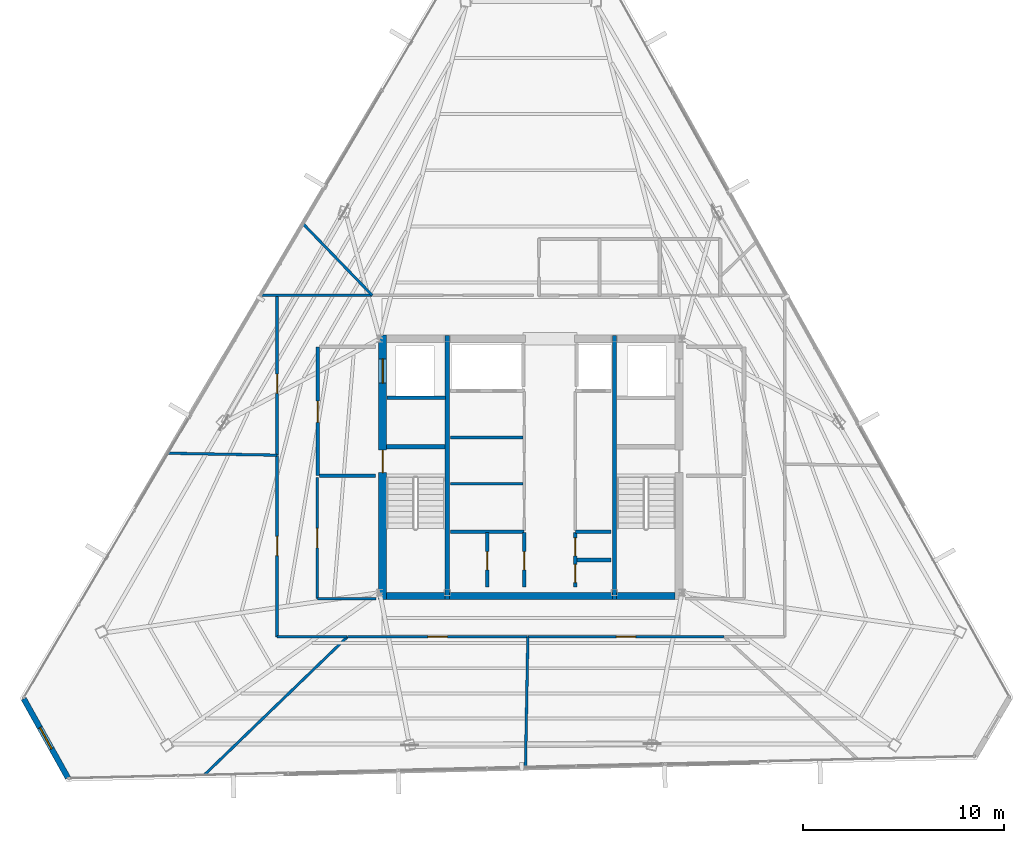
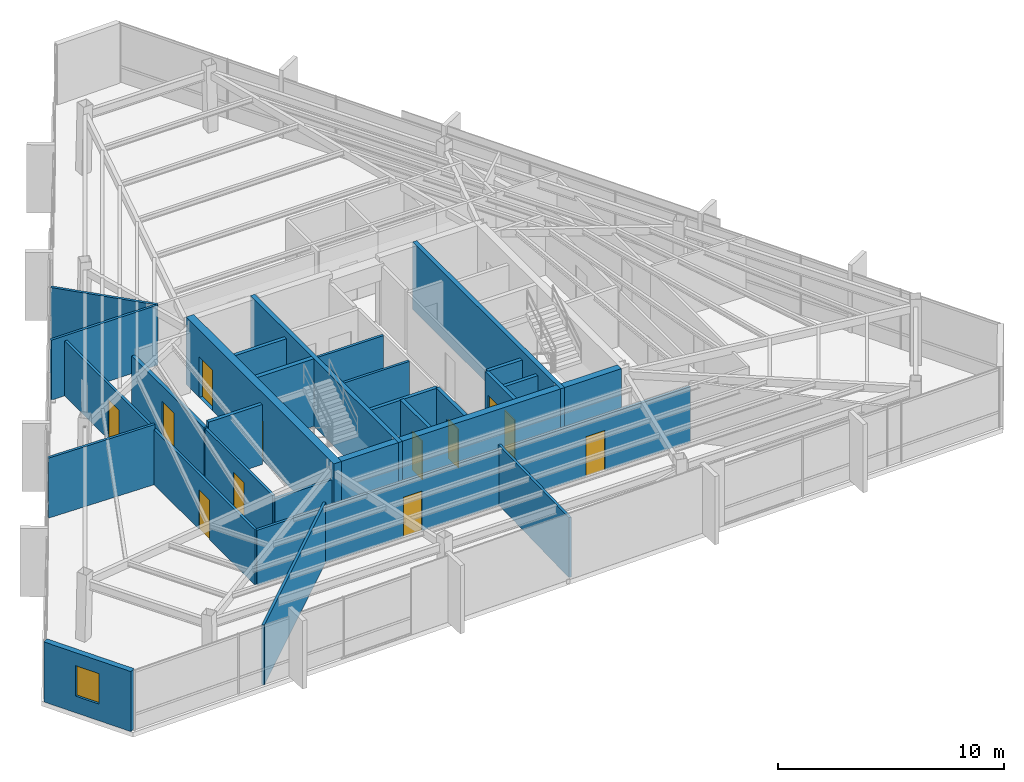
# One storey, part 40 of 44: 31 walls, 12 doors, 1 window, 13 openings.
"""IFC4 building model written with IfcOpenShell, lengths in metres."""

from ifc_helpers import new_model, si_unit, direction, frame, frame_2d, origin, place, context, subcontext, project, spatial, rectangle, extrude, material, layer, layer_set, type_object, element, fill, save


model = new_model("IFC4")

# Units and contexts
model_context = context("Model", 3, precision=1e-05, world=origin(), true_north=direction((0.0, 1.0)))
body_context = subcontext(model_context, "Body", "Model", "MODEL_VIEW")
ifc_project = project(units=[si_unit("LENGTHUNIT", "METRE"), si_unit("AREAUNIT", "SQUARE_METRE"), si_unit("VOLUMEUNIT", "CUBIC_METRE"), si_unit("PLANEANGLEUNIT", "RADIAN"), si_unit("MASSUNIT", "GRAM", prefix="KILO")], contexts=[model_context])

# Site, building, storey
site_placement = place(None, origin())
site = spatial("IfcSite", under=ifc_project, at=site_placement, CompositionType="ELEMENT")
building_placement = place(site_placement, origin())
building = spatial("IfcBuilding", under=site, at=building_placement, Name="Caelisora Broadcast Tower", CompositionType="ELEMENT")
storey_placement = place(building_placement, frame((0.0, 0.0, 280.949951171875)))
storey = spatial("IfcBuildingStorey", under=building, at=storey_placement, Name="L74", CompositionType="ELEMENT", Elevation=280.949951171875)

# Wall, openings, doors
ifc_material_1 = material(Name="Concrete 40 MPa (AS 3600 N40)", Category="concrete")
ifc_layer_1 = layer(ifc_material_1, 0.39990234375, Name="Concrete 40 MPa (AS 3600 N40)")
ifc_layer_set_1 = layer_set([ifc_layer_1], Name="Concrete 40 MPa (AS 3600 N40)")
wall_type_1 = type_object("IfcWallType", Name="CW3", PredefinedType="SHEAR", material=ifc_layer_set_1)
wall_1_placement = place(storey_placement, frame((30.639892578125, 17.050048828125, 0.0), z_axis=(0.0, 0.0, 1.0), x_axis=(0.0, 1.0, 0.0)))
wall_1 = element("IfcWall", 1, at=wall_1_placement, inside=storey, type_object=wall_type_1, Name="L74 core shear wall CW3", PredefinedType="SHEAR", context=body_context, shape_type="SweptSolid", body=[
    extrude(rectangle(XDim=13.125, YDim=0.39990234375, at=frame_2d((6.5625, 0.0))), origin(), (0.0, 0.0, 1.0), 3.650146484375),
])
opening_1_placement = place(wall_1_placement, frame((6.300048828125, 0.0, 0.0)))
opening_1 = element("IfcOpeningElement", 2, at=opening_1_placement, cuts=wall_1, Name="Opening FD04", PredefinedType="OPENING", context=body_context, shape_type="SweptSolid", body=[
    extrude(rectangle(XDim=1.1201171875, YDim=2.14990234375, at=frame_2d((0.56005859375, 1.074951171875))), frame((0.0, 0.2119140625, 0.0), z_axis=(0.0, -1.0, 0.0), x_axis=(1.0, 0.0, 0.0)), (0.0, 0.0, 1.0), 0.423828125),
])
opening_2_placement = place(wall_1_placement, frame((10.75, 0.0, 0.0)))
opening_2 = element("IfcOpeningElement", 3, at=opening_2_placement, cuts=wall_1, Name="Opening LD04", PredefinedType="OPENING", context=body_context, shape_type="SweptSolid", body=[
    extrude(rectangle(XDim=1.199951171875, YDim=2.199951171875, at=frame_2d((0.60009765625, 1.10009765625))), frame((0.0, 0.2119140625, 0.0), z_axis=(0.0, -1.0, 0.0), x_axis=(1.0, 0.0, 0.0)), (0.0, 0.0, 1.0), 0.423828125),
])
ifc_material_2 = material(Name="Pressurised Fire-Isolated Stair Door", Category="steel")
door_type_1 = type_object("IfcDoorType", Name="FD04", OperationType="NOTDEFINED", PredefinedType="DOOR", material=ifc_material_2)
door_1_placement = place(opening_1_placement, origin())
door_1 = element("IfcDoor", 4, at=door_1_placement, inside=storey, type_object=door_type_1, Name="L74 door FD04 (L74-DR-ST1)", OperationType="SINGLE_SWING_LEFT", OverallHeight=2.14990234375, OverallWidth=1.1201171875, PredefinedType="DOOR", context=body_context, shape_type="SweptSolid", body=[
    extrude(rectangle(XDim=1.1201171875, YDim=2.14990234375, at=frame_2d((0.56005859375, 1.074951171875))), frame((0.0, 0.02490234375, 0.0), z_axis=(0.0, -1.0, 0.0), x_axis=(1.0, 0.0, 0.0)), (0.0, 0.0, 1.0), 0.050048828125),
])
fill(opening_1, door_1)
ifc_material_3 = material(Name="Emergency Firefighting Lift Sliding Landing Door", Category="steel")
door_type_2 = type_object("IfcDoorType", Name="LD04", OperationType="NOTDEFINED", PredefinedType="DOOR", material=ifc_material_3)
door_2_placement = place(opening_2_placement, origin())
door_2 = element("IfcDoor", 5, at=door_2_placement, inside=storey, type_object=door_type_2, Name="L74 door LD04 (L74-LD-FFL1)", OperationType="SLIDING_TO_LEFT", OverallHeight=2.199951171875, OverallWidth=1.199951171875, PredefinedType="DOOR", context=body_context, shape_type="SweptSolid", body=[
    extrude(rectangle(XDim=1.199951171875, YDim=2.199951171875, at=frame_2d((0.60009765625, 1.10009765625))), frame((0.0, 0.02490234375, 0.0), z_axis=(0.0, -1.0, 0.0), x_axis=(1.0, 0.0, 0.0)), (0.0, 0.0, 1.0), 0.050048828125),
])
fill(opening_2, door_2)

# Walls
ifc_layer_2 = layer(ifc_material_1, 0.35009765625, Name="Concrete 40 MPa (AS 3600 N40)")
ifc_layer_set_2 = layer_set([ifc_layer_2], Name="Concrete 40 MPa (AS 3600 N40)")
wall_type_2 = type_object("IfcWallType", Name="CW6", PredefinedType="SHEAR", material=ifc_layer_set_2)
wall_2_placement = place(storey_placement, frame((30.840087890625, 17.22509765625, 0.0), z_axis=(0.0, 0.0, 1.0), x_axis=(1.0, 0.0, 0.0)))
element("IfcWall", 6, at=wall_2_placement, inside=storey, type_object=wall_type_2, Name="L74 core shear wall CW6", PredefinedType="SHEAR", context=body_context, shape_type="SweptSolid", body=[
    extrude(rectangle(XDim=2.89990234375, YDim=0.35009765625, at=frame_2d((1.449951171875, 0.0))), origin(), (0.0, 0.0, 1.0), 3.650146484375),
])
wall_3_placement = place(storey_placement, frame((33.9599609375, 17.22509765625, 0.0), z_axis=(0.0, 0.0, 1.0), x_axis=(1.0, 0.0, 0.0)))
element("IfcWall", 7, at=wall_3_placement, inside=storey, type_object=wall_type_2, Name="L74 core shear wall CW6", PredefinedType="SHEAR", context=body_context, shape_type="SweptSolid", body=[
    extrude(rectangle(XDim=8.080078125, YDim=0.35009765625, at=frame_2d((4.0400390625, 0.0))), origin(), (0.0, 0.0, 1.0), 3.650146484375),
])
wall_4_placement = place(storey_placement, frame((42.260009765625, 17.22509765625, 0.0), z_axis=(0.0, 0.0, 1.0), x_axis=(1.0, 0.0, 0.0)))
element("IfcWall", 8, at=wall_4_placement, inside=storey, type_object=wall_type_2, Name="L74 core shear wall CW6", PredefinedType="SHEAR", context=body_context, shape_type="SweptSolid", body=[
    extrude(rectangle(XDim=2.89990234375, YDim=0.35009765625, at=frame_2d((1.449951171875, 0.0))), origin(), (0.0, 0.0, 1.0), 3.650146484375),
])
ifc_material_4 = material(Name="Concrete 50 MPa (AS 3600 S50)", Category="concrete")
ifc_layer_3 = layer(ifc_material_4, 0.219970703125, Name="Concrete 50 MPa (AS 3600 S50)")
ifc_layer_set_3 = layer_set([ifc_layer_3], Name="Concrete 50 MPa (AS 3600 S50)")
wall_type_3 = type_object("IfcWallType", Name="CW7", PredefinedType="SHEAR", material=ifc_layer_set_3)
for number, where, z_axis, x_axis, name in (
    (9, (33.85009765625, 17.050048828125, 0.0), (0.0, 0.0, 1.0), (0.0, 1.0, 0.0), "L74 core shear wall CW7"),
    (10, (42.14990234375, 17.050048828125, 0.0), (0.0, 0.0, 1.0), (0.0, 1.0, 0.0), "L74 core shear wall CW7"),
):
    element("IfcWall", number, at=place(storey_placement, frame(where, z_axis=z_axis, x_axis=x_axis)), inside=storey, type_object=wall_type_3, Name=name, PredefinedType="SHEAR", context=body_context, shape_type="SweptSolid", body=[
        extrude(rectangle(XDim=13.125, YDim=0.219970703125, at=frame_2d((6.5625, 0.0))), origin(), (0.0, 0.0, 1.0), 3.650146484375),
    ])
wall_5_placement = place(storey_placement, frame((30.840087890625, 24.639892578125, 0.0), z_axis=(0.0, 0.0, 1.0), x_axis=(1.0, 0.0, 0.0)))
element("IfcWall", 11, at=wall_5_placement, inside=storey, type_object=wall_type_3, Name="L74 core shear wall CW7", PredefinedType="SHEAR", context=body_context, shape_type="SweptSolid", body=[
    extrude(rectangle(XDim=2.89990234375, YDim=0.219970703125, at=frame_2d((1.449951171875, 0.0))), origin(), (0.0, 0.0, 1.0), 3.650146484375),
])

# Wall, opening, window
ifc_material_5 = material(Name="Insulated Terracotta Spandrel Wall System", Category="masonry")
ifc_layer_4 = layer(ifc_material_5, 0.280029296875, Name="Insulated Terracotta Spandrel Wall System")
ifc_layer_set_4 = layer_set([ifc_layer_4], Name="Insulated Terracotta Spandrel Wall System")
wall_type_4 = type_object("IfcWallType", Name="EW1", PredefinedType="STANDARD", material=ifc_layer_set_4)
wall_6_placement = place(storey_placement, frame((15.019287109375, 8.207275390625, 0.0), z_axis=(0.0, 0.0, 1.0), x_axis=(-0.487631253397, 0.873049689714, 0.0)))
wall_6 = element("IfcWall", 12, at=wall_6_placement, inside=storey, type_object=wall_type_4, Name="L74 exterior envelope wall EW1", PredefinedType="STANDARD", context=body_context, shape_type="SweptSolid", body=[
    extrude(rectangle(XDim=4.490478515625, YDim=0.280029296875, at=frame_2d((2.2451171875, 0.0))), origin(), (0.0, 0.0, 1.0), 3.25),
])
opening_3_placement = place(wall_6_placement, frame((1.64990234375, 0.0, 0.89990234375)))
opening_3 = element("IfcOpeningElement", 13, at=opening_3_placement, cuts=wall_6, Name="Opening W03", PredefinedType="OPENING", context=body_context, shape_type="SweptSolid", body=[
    extrude(rectangle(XDim=1.199951171875, YDim=1.64990234375, at=frame_2d((0.60009765625, 0.824951171875))), frame((0.0, 0.152099609375, 0.0), z_axis=(0.0, -1.0, 0.0), x_axis=(1.0, 0.0, 0.0)), (0.0, 0.0, 1.0), 0.303955078125),
])
ifc_material_6 = material(Name="Double Glazed Corner Vision Window", Category="glass")
window_type = type_object("IfcWindowType", Name="W03", PartitioningType="SINGLE_PANEL", PredefinedType="WINDOW", material=ifc_material_6)
window_placement = place(opening_3_placement, origin())
window = element("IfcWindow", 14, at=window_placement, inside=storey, type_object=window_type, Name="L74 window W03 (L74-WN-CH4)", OverallHeight=1.64990234375, OverallWidth=1.199951171875, PartitioningType="SINGLE_PANEL", PredefinedType="WINDOW", context=body_context, shape_type="SweptSolid", body=[
    extrude(rectangle(XDim=1.199951171875, YDim=1.64990234375, at=frame_2d((0.60009765625, 0.824951171875))), frame((0.0, 0.030029296875, 0.0), z_axis=(0.0, -1.0, 0.0), x_axis=(1.0, 0.0, 0.0)), (0.0, 0.0, 1.0), 0.06005859375),
])
fill(opening_3, window)

# Wall, opening, door
ifc_material_7 = material(Name="Fire-Rated Gypsum Shaft and Compartment Wall", Category="gypsum")
ifc_layer_5 = layer(ifc_material_7, 0.179931640625, Name="Fire-Rated Gypsum Shaft and Compartment Wall")
ifc_layer_set_5 = layer_set([ifc_layer_5], Name="Fire-Rated Gypsum Shaft and Compartment Wall")
wall_type_5 = type_object("IfcWallType", Name="PW2", PredefinedType="PARTITIONING", material=ifc_layer_set_5)
wall_7_placement = place(storey_placement, frame((27.419921875, 23.199951171875, 0.0), z_axis=(0.0, 0.0, 1.0), x_axis=(0.0, 1.0, 0.0)))
wall_7 = element("IfcWall", 15, at=wall_7_placement, inside=storey, type_object=wall_type_5, Name="L74 fire compartment wall PW2", PredefinedType="PARTITIONING", context=body_context, shape_type="SweptSolid", body=[
    extrude(rectangle(XDim=6.400146484375, YDim=0.179931640625, at=frame_2d((3.2001953125, 0.0))), origin(), (0.0, 0.0, 1.0), 2.978759765625),
])
opening_4_placement = place(wall_7_placement, frame((2.64990234375, 0.0, 0.0)))
opening_4 = element("IfcOpeningElement", 16, at=opening_4_placement, cuts=wall_7, Name="Opening FD02", PredefinedType="OPENING", context=body_context, shape_type="SweptSolid", body=[
    extrude(rectangle(XDim=1.050048828125, YDim=2.14990234375, at=frame_2d((0.52490234375, 1.074951171875))), frame((0.0, 0.10205078125, 0.0), z_axis=(0.0, -1.0, 0.0), x_axis=(1.0, 0.0, 0.0)), (0.0, 0.0, 1.0), 0.203857421875),
])
ifc_material_8 = material(Name="Single-Leaf Steel Fire Lobby Door", Category="steel")
door_type_3 = type_object("IfcDoorType", Name="FD02", OperationType="NOTDEFINED", PredefinedType="DOOR", material=ifc_material_8)
door_3_placement = place(opening_4_placement, origin())
door_3 = element("IfcDoor", 17, at=door_3_placement, inside=storey, type_object=door_type_3, Name="L74 door FD02 (L74-DR-P01D1)", OperationType="SINGLE_SWING_LEFT", OverallHeight=2.14990234375, OverallWidth=1.050048828125, PredefinedType="DOOR", context=body_context, shape_type="SweptSolid", body=[
    extrude(rectangle(XDim=1.050048828125, YDim=2.14990234375, at=frame_2d((0.52490234375, 1.074951171875))), frame((0.0, 0.02490234375, 0.0), z_axis=(0.0, -1.0, 0.0), x_axis=(1.0, 0.0, 0.0)), (0.0, 0.0, 1.0), 0.050048828125),
])
fill(opening_4, door_3)

# Walls
wall_8_placement = place(storey_placement, frame((27.52001953125, 23.199951171875, 0.0), z_axis=(0.0, 0.0, 1.0), x_axis=(1.0, 0.0, 0.0)))
element("IfcWall", 18, at=wall_8_placement, inside=storey, type_object=wall_type_5, Name="L74 fire compartment wall PW2", PredefinedType="PARTITIONING", context=body_context, shape_type="SweptSolid", body=[
    extrude(rectangle(XDim=2.760009765625, YDim=0.179931640625, at=frame_2d((1.3798828125, 0.0))), origin(), (0.0, 0.0, 1.0), 3.25),
])
wall_9_placement = place(storey_placement, frame((30.860107421875, 27.070068359375, 0.0), z_axis=(0.0, 0.0, 1.0), x_axis=(1.0, 0.0, 0.0)))
element("IfcWall", 19, at=wall_9_placement, inside=storey, type_object=wall_type_5, Name="L74 fire compartment wall PW2", PredefinedType="PARTITIONING", context=body_context, shape_type="SweptSolid", body=[
    extrude(rectangle(XDim=2.89990234375, YDim=0.179931640625, at=frame_2d((1.449951171875, 0.0))), origin(), (0.0, 0.0, 1.0), 3.25),
])
wall_10_placement = place(storey_placement, frame((34.02001953125, 20.419921875, 0.0), z_axis=(0.0, 0.0, 1.0), x_axis=(1.0, 0.0, 0.0)))
element("IfcWall", 20, at=wall_10_placement, inside=storey, type_object=wall_type_5, Name="L74 fire compartment wall PW2", PredefinedType="PARTITIONING", context=body_context, shape_type="SweptSolid", body=[
    extrude(rectangle(XDim=3.639892578125, YDim=0.179931640625, at=frame_2d((1.81982421875, 0.0))), origin(), (0.0, 0.0, 1.0), 3.25),
])
wall_11_placement = place(storey_placement, frame((40.219970703125, 20.419921875, 0.0), z_axis=(0.0, 0.0, 1.0), x_axis=(1.0, 0.0, 0.0)))
element("IfcWall", 21, at=wall_11_placement, inside=storey, type_object=wall_type_5, Name="L74 fire compartment wall PW2", PredefinedType="PARTITIONING", context=body_context, shape_type="SweptSolid", body=[
    extrude(rectangle(XDim=1.760009765625, YDim=0.179931640625, at=frame_2d((0.8798828125, 0.0))), origin(), (0.0, 0.0, 1.0), 3.25),
])

# Wall, opening, door
wall_12_placement = place(storey_placement, frame((35.840087890625, 17.679931640625, 0.0), z_axis=(0.0, 0.0, 1.0), x_axis=(0.0, 1.0, 0.0)))
wall_12 = element("IfcWall", 22, at=wall_12_placement, inside=storey, type_object=wall_type_5, Name="L74 fire compartment wall PW2", PredefinedType="PARTITIONING", context=body_context, shape_type="SweptSolid", body=[
    extrude(rectangle(XDim=2.699951171875, YDim=0.179931640625, at=frame_2d((1.35009765625, 0.0))), origin(), (0.0, 0.0, 1.0), 3.25),
])
opening_5_placement = place(wall_12_placement, frame((0.85009765625, 0.0, 0.0)))
opening_5 = element("IfcOpeningElement", 23, at=opening_5_placement, cuts=wall_12, Name="Opening FD03", PredefinedType="OPENING", context=body_context, shape_type="SweptSolid", body=[
    extrude(rectangle(XDim=0.89990234375, YDim=2.10009765625, at=frame_2d((0.449951171875, 1.050048828125))), frame((0.0, 0.10205078125, 0.0), z_axis=(0.0, -1.0, 0.0), x_axis=(1.0, 0.0, 0.0)), (0.0, 0.0, 1.0), 0.203857421875),
])
ifc_material_9 = material(Name="Single-Leaf Steel Riser Fire Access Door", Category="steel")
door_type_4 = type_object("IfcDoorType", Name="FD03", OperationType="NOTDEFINED", PredefinedType="DOOR", material=ifc_material_9)
door_4_placement = place(opening_5_placement, origin())
door_4 = element("IfcDoor", 24, at=door_4_placement, inside=storey, type_object=door_type_4, Name="L74 door FD03 (L74-DR-P15D1)", OperationType="SINGLE_SWING_LEFT", OverallHeight=2.10009765625, OverallWidth=0.89990234375, PredefinedType="DOOR", context=body_context, shape_type="SweptSolid", body=[
    extrude(rectangle(XDim=0.89990234375, YDim=2.10009765625, at=frame_2d((0.449951171875, 1.050048828125))), frame((0.0, 0.02490234375, 0.0), z_axis=(0.0, -1.0, 0.0), x_axis=(1.0, 0.0, 0.0)), (0.0, 0.0, 1.0), 0.050048828125),
])
fill(opening_5, door_4)

wall_13_placement = place(storey_placement, frame((37.679931640625, 17.679931640625, 0.0), z_axis=(0.0, 0.0, 1.0), x_axis=(0.0, 1.0, 0.0)))
wall_13 = element("IfcWall", 25, at=wall_13_placement, inside=storey, type_object=wall_type_5, Name="L74 fire compartment wall PW2", PredefinedType="PARTITIONING", context=body_context, shape_type="SweptSolid", body=[
    extrude(rectangle(XDim=2.699951171875, YDim=0.179931640625, at=frame_2d((1.35009765625, 0.0))), origin(), (0.0, 0.0, 1.0), 3.25),
])
opening_6_placement = place(wall_13_placement, frame((0.85009765625, 0.0, 0.0)))
opening_6 = element("IfcOpeningElement", 26, at=opening_6_placement, cuts=wall_13, Name="Opening FD03", PredefinedType="OPENING", context=body_context, shape_type="SweptSolid", body=[
    extrude(rectangle(XDim=0.89990234375, YDim=2.10009765625, at=frame_2d((0.449951171875, 1.050048828125))), frame((0.0, 0.10205078125, 0.0), z_axis=(0.0, -1.0, 0.0), x_axis=(1.0, 0.0, 0.0)), (0.0, 0.0, 1.0), 0.203857421875),
])
door_5_placement = place(opening_6_placement, origin())
door_5 = element("IfcDoor", 27, at=door_5_placement, inside=storey, type_object=door_type_4, Name="L74 door FD03 (L74-DR-P16D1)", OperationType="SINGLE_SWING_RIGHT", OverallHeight=2.10009765625, OverallWidth=0.89990234375, PredefinedType="DOOR", context=body_context, shape_type="SweptSolid", body=[
    extrude(rectangle(XDim=0.89990234375, YDim=2.10009765625, at=frame_2d((0.449951171875, 1.050048828125))), frame((0.0, 0.02490234375, 0.0), z_axis=(0.0, -1.0, 0.0), x_axis=(1.0, 0.0, 0.0)), (0.0, 0.0, 1.0), 0.050048828125),
])
fill(opening_6, door_5)

# Wall
wall_14_placement = place(storey_placement, frame((40.280029296875, 19.02001953125, 0.0), z_axis=(0.0, 0.0, 1.0), x_axis=(1.0, 0.0, 0.0)))
element("IfcWall", 28, at=wall_14_placement, inside=storey, type_object=wall_type_5, Name="L74 fire compartment wall PW2", PredefinedType="PARTITIONING", context=body_context, shape_type="SweptSolid", body=[
    extrude(rectangle(XDim=1.699951171875, YDim=0.179931640625, at=frame_2d((0.85009765625, 0.0))), origin(), (0.0, 0.0, 1.0), 3.25),
])

# Wall, openings, doors
wall_15_placement = place(storey_placement, frame((40.199951171875, 17.679931640625, 0.0), z_axis=(0.0, 0.0, 1.0), x_axis=(0.0, 1.0, 0.0)))
wall_15 = element("IfcWall", 29, at=wall_15_placement, inside=storey, type_object=wall_type_5, Name="L74 fire compartment wall PW2", PredefinedType="PARTITIONING", context=body_context, shape_type="SweptSolid", body=[
    extrude(rectangle(XDim=2.699951171875, YDim=0.179931640625, at=frame_2d((1.35009765625, 0.0))), origin(), (0.0, 0.0, 1.0), 3.25),
])
opening_7_placement = place(wall_15_placement, frame((0.219970703125, 0.0, 0.0)))
opening_7 = element("IfcOpeningElement", 30, at=opening_7_placement, cuts=wall_15, Name="Opening FD03", PredefinedType="OPENING", context=body_context, shape_type="SweptSolid", body=[
    extrude(rectangle(XDim=0.89990234375, YDim=2.10009765625, at=frame_2d((0.449951171875, 1.050048828125))), frame((0.0, 0.10205078125, 0.0), z_axis=(0.0, -1.0, 0.0), x_axis=(1.0, 0.0, 0.0)), (0.0, 0.0, 1.0), 0.203857421875),
])
opening_8_placement = place(wall_15_placement, frame((1.5400390625, 0.0, 0.0)))
opening_8 = element("IfcOpeningElement", 31, at=opening_8_placement, cuts=wall_15, Name="Opening FD03", PredefinedType="OPENING", context=body_context, shape_type="SweptSolid", body=[
    extrude(rectangle(XDim=0.89990234375, YDim=2.10009765625, at=frame_2d((0.449951171875, 1.050048828125))), frame((0.0, 0.10205078125, 0.0), z_axis=(0.0, -1.0, 0.0), x_axis=(1.0, 0.0, 0.0)), (0.0, 0.0, 1.0), 0.203857421875),
])
door_6_placement = place(opening_7_placement, origin())
door_6 = element("IfcDoor", 32, at=door_6_placement, inside=storey, type_object=door_type_4, Name="L74 door FD03 (L74-DR-P18D1)", OperationType="SINGLE_SWING_LEFT", OverallHeight=2.10009765625, OverallWidth=0.89990234375, PredefinedType="DOOR", context=body_context, shape_type="SweptSolid", body=[
    extrude(rectangle(XDim=0.89990234375, YDim=2.10009765625, at=frame_2d((0.449951171875, 1.050048828125))), frame((0.0, 0.02490234375, 0.0), z_axis=(0.0, -1.0, 0.0), x_axis=(1.0, 0.0, 0.0)), (0.0, 0.0, 1.0), 0.050048828125),
])
fill(opening_7, door_6)
door_7_placement = place(opening_8_placement, origin())
door_7 = element("IfcDoor", 33, at=door_7_placement, inside=storey, type_object=door_type_4, Name="L74 door FD03 (L74-DR-P18D2)", OperationType="SINGLE_SWING_RIGHT", OverallHeight=2.10009765625, OverallWidth=0.89990234375, PredefinedType="DOOR", context=body_context, shape_type="SweptSolid", body=[
    extrude(rectangle(XDim=0.89990234375, YDim=2.10009765625, at=frame_2d((0.449951171875, 1.050048828125))), frame((0.0, 0.02490234375, 0.0), z_axis=(0.0, -1.0, 0.0), x_axis=(1.0, 0.0, 0.0)), (0.0, 0.0, 1.0), 0.050048828125),
])
fill(opening_8, door_7)

# Walls
ifc_material_10 = material(Name="Acoustic Steel-Stud Plasterboard Partition", Category="gypsum")
ifc_layer_6 = layer(ifc_material_10, 0.1298828125, Name="Acoustic Steel-Stud Plasterboard Partition")
ifc_layer_set_6 = layer_set([ifc_layer_6], Name="Acoustic Steel-Stud Plasterboard Partition")
wall_type_6 = type_object("IfcWallType", Name="PW3", PredefinedType="PARTITIONING", material=ifc_layer_set_6)
for number, where, z_axis, x_axis, name in (
    (34, (34.02001953125, 22.800048828125, 0.0), (0.0, 0.0, 1.0), (1.0, 0.0, 0.0), "L74 internal partition PW3"),
    (35, (34.02001953125, 25.10009765625, 0.0), (0.0, 0.0, 1.0), (1.0, 0.0, 0.0), "L74 internal partition PW3"),
):
    element("IfcWall", number, at=place(storey_placement, frame(where, z_axis=z_axis, x_axis=x_axis)), inside=storey, type_object=wall_type_6, Name=name, PredefinedType="PARTITIONING", context=body_context, shape_type="SweptSolid", body=[
        extrude(rectangle(XDim=3.580078125, YDim=0.1298828125, at=frame_2d((1.7900390625, 0.0))), origin(), (0.0, 0.0, 1.0), 3.25),
    ])
wall_16_placement = place(storey_placement, frame((21.78369140625, 8.340087890625, 0.0), z_axis=(0.0, 0.0, 1.0), x_axis=(0.719424470666, 0.694570681074, 0.0)))
element("IfcWall", 36, at=wall_16_placement, inside=storey, type_object=wall_type_6, Name="L74 internal partition PW3", PredefinedType="PARTITIONING", context=body_context, shape_type="SweptSolid", body=[
    extrude(rectangle(XDim=9.8720703125, YDim=0.1298828125, at=frame_2d((4.93603515625, 0.0))), origin(), (0.0, 0.0, 1.0), 3.25),
])

# Wall, opening, door
wall_17_placement = place(storey_placement, frame((37.85498046875, 15.199951171875, 0.0), z_axis=(0.0, 0.0, 1.0), x_axis=(1.0, 0.0, 0.0)))
wall_17 = element("IfcWall", 37, at=wall_17_placement, inside=storey, type_object=wall_type_6, Name="L74 internal partition PW3", PredefinedType="PARTITIONING", context=body_context, shape_type="SweptSolid", body=[
    extrude(rectangle(XDim=9.739990234375, YDim=0.1298828125, at=frame_2d((4.8701171875, 0.0))), origin(), (0.0, 0.0, 1.0), 2.978759765625),
])
opening_9_placement = place(wall_17_placement, frame((4.389892578125, 0.0, 0.0)))
opening_9 = element("IfcOpeningElement", 38, at=opening_9_placement, cuts=wall_17, Name="Opening D01", PredefinedType="OPENING", context=body_context, shape_type="SweptSolid", body=[
    extrude(rectangle(XDim=0.9599609375, YDim=2.14990234375, at=frame_2d((0.47998046875, 1.074951171875))), frame((0.0, 0.076904296875, 0.0), z_axis=(0.0, -1.0, 0.0), x_axis=(1.0, 0.0, 0.0)), (0.0, 0.0, 1.0), 0.15380859375),
])
ifc_material_11 = material(Name="Solid-Core Timber Acoustic Office Door", Category="wood")
door_type_5 = type_object("IfcDoorType", Name="D01", OperationType="NOTDEFINED", PredefinedType="DOOR", material=ifc_material_11)
door_8_placement = place(opening_9_placement, origin())
door_8 = element("IfcDoor", 39, at=door_8_placement, inside=storey, type_object=door_type_5, Name="L74 door D01 (L74-DR-P33D1)", OperationType="SINGLE_SWING_RIGHT", OverallHeight=2.14990234375, OverallWidth=0.9599609375, PredefinedType="DOOR", context=body_context, shape_type="SweptSolid", body=[
    extrude(rectangle(XDim=0.9599609375, YDim=2.14990234375, at=frame_2d((0.47998046875, 1.074951171875))), frame((0.0, 0.02490234375, 0.0), z_axis=(0.0, -1.0, 0.0), x_axis=(1.0, 0.0, 0.0)), (0.0, 0.0, 1.0), 0.050048828125),
])
fill(opening_9, door_8)

wall_18_placement = place(storey_placement, frame((25.39990234375, 24.215087890625, 0.0), z_axis=(0.0, 0.0, 1.0), x_axis=(0.0, -1.0, 0.0)))
wall_18 = element("IfcWall", 40, at=wall_18_placement, inside=storey, type_object=wall_type_6, Name="L74 internal partition PW3", PredefinedType="PARTITIONING", context=body_context, shape_type="SweptSolid", body=[
    extrude(rectangle(XDim=9.010009765625, YDim=0.1298828125, at=frame_2d((4.5048828125, 0.0))), origin(), (0.0, 0.0, 1.0), 2.978759765625),
])
opening_10_placement = place(wall_18_placement, frame((4.02490234375, 0.0, 0.0)))
opening_10 = element("IfcOpeningElement", 41, at=opening_10_placement, cuts=wall_18, Name="Opening D01", PredefinedType="OPENING", context=body_context, shape_type="SweptSolid", body=[
    extrude(rectangle(XDim=0.9599609375, YDim=2.14990234375, at=frame_2d((0.47998046875, 1.074951171875))), frame((0.0, 0.076904296875, 0.0), z_axis=(0.0, -1.0, 0.0), x_axis=(1.0, 0.0, 0.0)), (0.0, 0.0, 1.0), 0.15380859375),
])
door_9_placement = place(opening_10_placement, origin())
door_9 = element("IfcDoor", 42, at=door_9_placement, inside=storey, type_object=door_type_5, Name="L74 door D01 (L74-DR-P35D1)", OperationType="SINGLE_SWING_LEFT", OverallHeight=2.14990234375, OverallWidth=0.9599609375, PredefinedType="DOOR", context=body_context, shape_type="SweptSolid", body=[
    extrude(rectangle(XDim=0.9599609375, YDim=2.14990234375, at=frame_2d((0.47998046875, 1.074951171875))), frame((0.0, 0.02490234375, 0.0), z_axis=(0.0, -1.0, 0.0), x_axis=(1.0, 0.0, 0.0)), (0.0, 0.0, 1.0), 0.050048828125),
])
fill(opening_10, door_9)

wall_19_placement = place(storey_placement, frame((28.89501953125, 15.199951171875, 0.0), z_axis=(0.0, 0.0, 1.0), x_axis=(1.0, 0.0, 0.0)))
wall_19 = element("IfcWall", 43, at=wall_19_placement, inside=storey, type_object=wall_type_6, Name="L74 internal partition PW3", PredefinedType="PARTITIONING", context=body_context, shape_type="SweptSolid", body=[
    extrude(rectangle(XDim=8.949951171875, YDim=0.1298828125, at=frame_2d((4.47509765625, 0.0))), origin(), (0.0, 0.0, 1.0), 2.978759765625),
])
opening_11_placement = place(wall_19_placement, frame((3.9951171875, 0.0, 0.0)))
opening_11 = element("IfcOpeningElement", 44, at=opening_11_placement, cuts=wall_19, Name="Opening D01", PredefinedType="OPENING", context=body_context, shape_type="SweptSolid", body=[
    extrude(rectangle(XDim=0.9599609375, YDim=2.14990234375, at=frame_2d((0.47998046875, 1.074951171875))), frame((0.0, 0.076904296875, 0.0), z_axis=(0.0, -1.0, 0.0), x_axis=(1.0, 0.0, 0.0)), (0.0, 0.0, 1.0), 0.15380859375),
])
door_10_placement = place(opening_11_placement, origin())
door_10 = element("IfcDoor", 45, at=door_10_placement, inside=storey, type_object=door_type_5, Name="L74 door D01 (L74-DR-P36D1)", OperationType="SINGLE_SWING_RIGHT", OverallHeight=2.14990234375, OverallWidth=0.9599609375, PredefinedType="DOOR", context=body_context, shape_type="SweptSolid", body=[
    extrude(rectangle(XDim=0.9599609375, YDim=2.14990234375, at=frame_2d((0.47998046875, 1.074951171875))), frame((0.0, 0.02490234375, 0.0), z_axis=(0.0, -1.0, 0.0), x_axis=(1.0, 0.0, 0.0)), (0.0, 0.0, 1.0), 0.050048828125),
])
fill(opening_11, door_10)

wall_20_placement = place(storey_placement, frame((25.39990234375, 24.22509765625, 0.0), z_axis=(0.0, 0.0, 1.0), x_axis=(0.0, 1.0, 0.0)))
wall_20 = element("IfcWall", 46, at=wall_20_placement, inside=storey, type_object=wall_type_6, Name="L74 internal partition PW3", PredefinedType="PARTITIONING", context=body_context, shape_type="SweptSolid", body=[
    extrude(rectangle(XDim=7.919921875, YDim=0.1298828125, at=frame_2d((3.9599609375, 0.0))), origin(), (0.0, 0.0, 1.0), 2.978759765625),
])
opening_12_placement = place(wall_20_placement, frame((3.06005859375, 0.0, 0.0)))
opening_12 = element("IfcOpeningElement", 47, at=opening_12_placement, cuts=wall_20, Name="Opening D01", PredefinedType="OPENING", context=body_context, shape_type="SweptSolid", body=[
    extrude(rectangle(XDim=0.9599609375, YDim=2.14990234375, at=frame_2d((0.47998046875, 1.074951171875))), frame((0.0, 0.076904296875, 0.0), z_axis=(0.0, -1.0, 0.0), x_axis=(1.0, 0.0, 0.0)), (0.0, 0.0, 1.0), 0.15380859375),
])
door_11_placement = place(opening_12_placement, origin())
door_11 = element("IfcDoor", 48, at=door_11_placement, inside=storey, type_object=door_type_5, Name="L74 door D01 (L74-DR-P41D1)", OperationType="SINGLE_SWING_RIGHT", OverallHeight=2.14990234375, OverallWidth=0.9599609375, PredefinedType="DOOR", context=body_context, shape_type="SweptSolid", body=[
    extrude(rectangle(XDim=0.9599609375, YDim=2.14990234375, at=frame_2d((0.47998046875, 1.074951171875))), frame((0.0, 0.02490234375, 0.0), z_axis=(0.0, -1.0, 0.0), x_axis=(1.0, 0.0, 0.0)), (0.0, 0.0, 1.0), 0.050048828125),
])
fill(opening_12, door_11)

# Wall
wall_21_placement = place(storey_placement, frame((37.731689453125, 8.7275390625, 0.0), z_axis=(0.0, 0.0, 1.0), x_axis=(0.018305037094, 0.999832448772, 0.0)))
element("IfcWall", 49, at=wall_21_placement, inside=storey, type_object=wall_type_6, Name="L74 internal partition PW3", PredefinedType="PARTITIONING", context=body_context, shape_type="SweptSolid", body=[
    extrude(rectangle(XDim=6.468505859375, YDim=0.1298828125, at=frame_2d((3.234375, 0.0))), origin(), (0.0, 0.0, 1.0), 3.25),
])

# Wall, opening, door
wall_22_placement = place(storey_placement, frame((27.39990234375, 17.10498046875, 0.0), z_axis=(0.0, 0.0, 1.0), x_axis=(0.0, 1.0, 0.0)))
wall_22 = element("IfcWall", 50, at=wall_22_placement, inside=storey, type_object=wall_type_6, Name="L74 internal partition PW3", PredefinedType="PARTITIONING", context=body_context, shape_type="SweptSolid", body=[
    extrude(rectangle(XDim=6.0, YDim=0.1298828125, at=frame_2d((3.0, 0.0))), origin(), (0.0, 0.0, 1.0), 2.978759765625),
])
opening_13_placement = place(wall_22_placement, frame((2.52001953125, 0.0, 0.0)))
opening_13 = element("IfcOpeningElement", 51, at=opening_13_placement, cuts=wall_22, Name="Opening D01", PredefinedType="OPENING", context=body_context, shape_type="SweptSolid", body=[
    extrude(rectangle(XDim=0.9599609375, YDim=2.14990234375, at=frame_2d((0.47998046875, 1.074951171875))), frame((0.0, 0.076904296875, 0.0), z_axis=(0.0, -1.0, 0.0), x_axis=(1.0, 0.0, 0.0)), (0.0, 0.0, 1.0), 0.15380859375),
])
door_12_placement = place(opening_13_placement, origin())
door_12 = element("IfcDoor", 52, at=door_12_placement, inside=storey, type_object=door_type_5, Name="L74 door D01 (L74-DR-P43D1)", OperationType="SINGLE_SWING_LEFT", OverallHeight=2.14990234375, OverallWidth=0.9599609375, PredefinedType="DOOR", context=body_context, shape_type="SweptSolid", body=[
    extrude(rectangle(XDim=0.9599609375, YDim=2.14990234375, at=frame_2d((0.47998046875, 1.074951171875))), frame((0.0, 0.02490234375, 0.0), z_axis=(0.0, -1.0, 0.0), x_axis=(1.0, 0.0, 0.0)), (0.0, 0.0, 1.0), 0.050048828125),
])
fill(opening_13, door_12)

# Walls
wall_23_placement = place(storey_placement, frame((19.995849609375, 24.31787109375, 0.0), z_axis=(0.0, 0.0, 1.0), x_axis=(0.999835646943, -0.018129509131, 0.0)))
element("IfcWall", 53, at=wall_23_placement, inside=storey, type_object=wall_type_6, Name="L74 internal partition PW3", PredefinedType="PARTITIONING", context=body_context, shape_type="SweptSolid", body=[
    extrude(rectangle(XDim=5.400146484375, YDim=0.1298828125, at=frame_2d((2.7001953125, 0.0))), origin(), (0.0, 0.0, 1.0), 3.25),
])
wall_24_placement = place(storey_placement, frame((26.7119140625, 35.685546875, 0.0), z_axis=(0.0, 0.0, 1.0), x_axis=(0.695154818366, -0.71886005488, 0.0)))
element("IfcWall", 54, at=wall_24_placement, inside=storey, type_object=wall_type_6, Name="L74 internal partition PW3", PredefinedType="PARTITIONING", context=body_context, shape_type="SweptSolid", body=[
    extrude(rectangle(XDim=4.91259765625, YDim=0.1298828125, at=frame_2d((2.456298828125, 0.0))), origin(), (0.0, 0.0, 1.0), 3.25),
])
wall_25_placement = place(storey_placement, frame((24.64892578125, 32.14990234375, 0.0), z_axis=(0.0, 0.0, 1.0), x_axis=(1.0, 0.0, 0.0)))
element("IfcWall", 55, at=wall_25_placement, inside=storey, type_object=wall_type_6, Name="L74 internal partition PW3", PredefinedType="PARTITIONING", context=body_context, shape_type="SweptSolid", body=[
    extrude(rectangle(XDim=5.47607421875, YDim=0.1298828125, at=frame_2d((2.738037109375, 0.0))), origin(), (0.0, 0.0, 1.0), 3.25),
])
wall_26_placement = place(storey_placement, frame((25.405029296875, 15.199951171875, 0.0), z_axis=(0.0, 0.0, 1.0), x_axis=(1.0, 0.0, 0.0)))
element("IfcWall", 56, at=wall_26_placement, inside=storey, type_object=wall_type_6, Name="L74 internal partition PW3", PredefinedType="PARTITIONING", context=body_context, shape_type="SweptSolid", body=[
    extrude(rectangle(XDim=3.47998046875, YDim=0.1298828125, at=frame_2d((1.739990234375, 0.0))), origin(), (0.0, 0.0, 1.0), 2.978759765625),
])
wall_27_placement = place(storey_placement, frame((30.324951171875, 17.10009765625, 0.0), z_axis=(0.0, 0.0, 1.0), x_axis=(-1.0, 0.0, 0.0)))
element("IfcWall", 57, at=wall_27_placement, inside=storey, type_object=wall_type_6, Name="L74 internal partition PW3", PredefinedType="PARTITIONING", context=body_context, shape_type="SweptSolid", body=[
    extrude(rectangle(XDim=2.919921875, YDim=0.1298828125, at=frame_2d((1.4599609375, 0.0))), origin(), (0.0, 0.0, 1.0), 2.8349609375),
])

save(model, "model.ifc")
